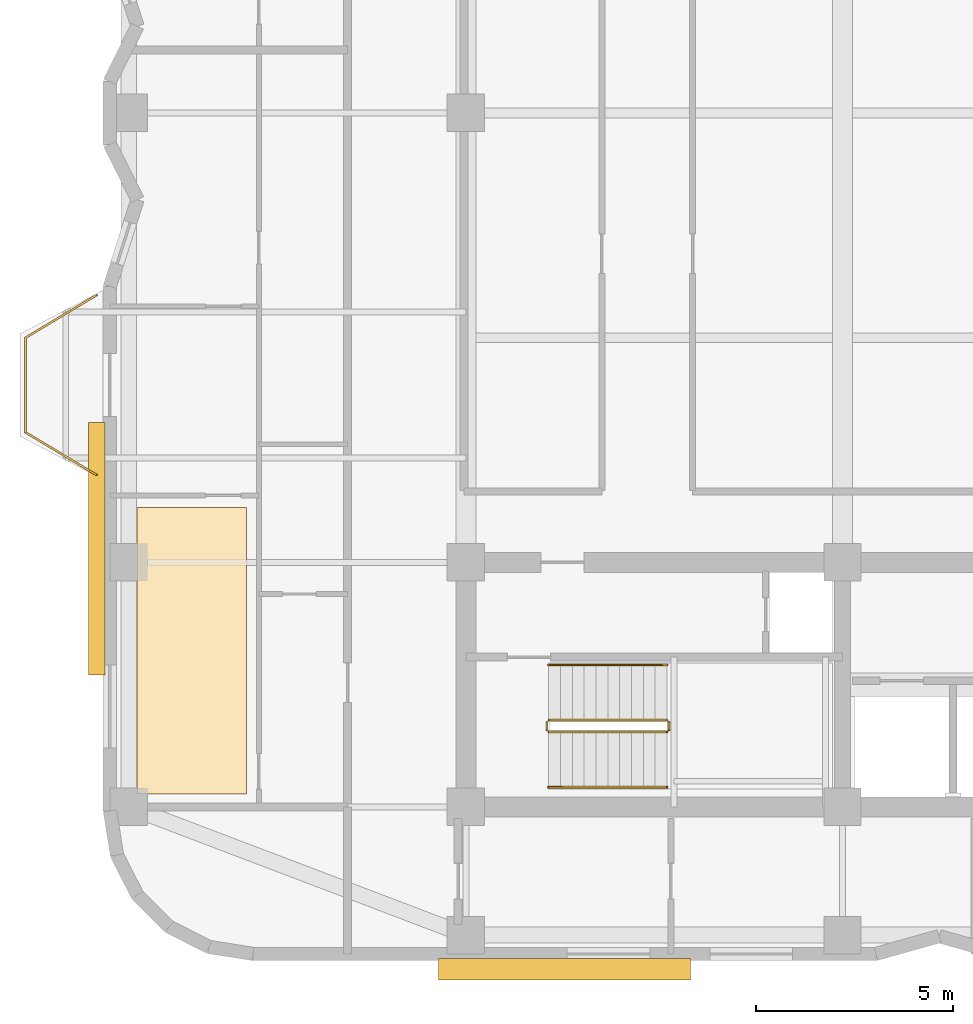
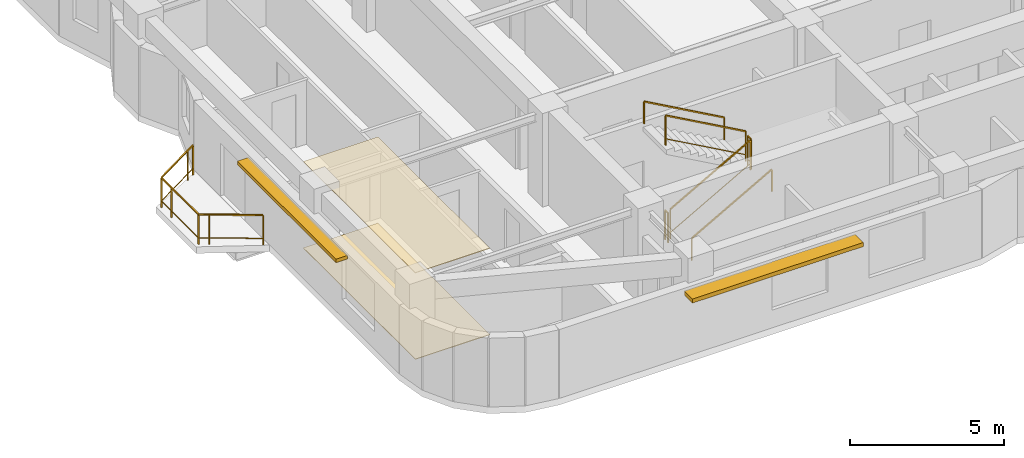
# One storey, part 10 of 12: 7 railings, 2 coverings, 2 shading devices.
"""IFC4 building model written with IfcOpenShell, lengths in metres."""

import ifcopenshell
import ifcopenshell.guid

model = None  # the IFC model being written
_history = None  # IfcOwnerHistory: only IFC2X3 demands one
_inside = {}  # id of a spatial element -> (the spatial element, [elements in it])
_under = {}  # id of a project, library or spatial element -> (it, [spatial elements below it])
_declared = {}  # id of a project -> (the project, [libraries it declares])
_typed = {}  # id of a type object -> (the type object, [elements of that type])
_made_of = {}  # id of a material, layer set ... -> (it, [elements and type objects made of it])


def new_model(schema):
    """Start an empty IFC model of exactly this schema.

    Asked for "IFC4X3", IfcOpenShell would pick the latest addendum, in which some entities
    have other attributes; the version numbers below select the first issue.
    IFC2X3 requires an IfcOwnerHistory on every rooted entity: one is made here for all.
    """
    global model, _history
    if schema == "IFC4X3":
        model = ifcopenshell.file(schema_version=(4, 3, 0, 0))
    else:
        model = ifcopenshell.file(schema=schema)
    _inside.clear()
    _under.clear()
    _declared.clear()
    _typed.clear()
    _made_of.clear()
    _history = None
    if model.schema == "IFC2X3":
        org = make("IfcOrganization", Name="unknown")
        user = make(
            "IfcPersonAndOrganization",
            ThePerson=make("IfcPerson", FamilyName="unknown"),
            TheOrganization=org,
        )
        app = make(
            "IfcApplication",
            ApplicationDeveloper=org,
            Version="unknown",
            ApplicationFullName="unknown",
            ApplicationIdentifier="unknown",
        )
        _history = make(
            "IfcOwnerHistory",
            OwningUser=user,
            OwningApplication=app,
            ChangeAction="ADDED",
            CreationDate=0,
        )
    return model


def make(cls, **values):
    """One entity of the class cls with the attributes given. An attribute that is None is left unset."""
    return model.create_entity(
        cls, **{name: value for name, value in values.items() if value is not None}
    )


def rooted(cls, **values):
    """An entity with a GlobalId (a new one), such as an element, a storey or a relation."""
    return make(cls, GlobalId=ifcopenshell.guid.new(), OwnerHistory=_history, **values)


def si_unit(unit_type, name, prefix=None):
    """IfcSIUnit, for example si_unit("LENGTHUNIT", "METRE", prefix="MILLI")."""
    return make("IfcSIUnit", UnitType=unit_type, Prefix=prefix, Name=name)


def assignment(units):
    """IfcUnitAssignment: the units of a project."""
    return None if units is None else make("IfcUnitAssignment", Units=units)


def point(xyz):
    """IfcCartesianPoint."""
    return None if xyz is None else make("IfcCartesianPoint", Coordinates=xyz)


def direction(xyz):
    """IfcDirection."""
    return None if xyz is None else make("IfcDirection", DirectionRatios=xyz)


def frame(location, z_axis=None, x_axis=None):
    """IfcAxis2Placement3D, a coordinate frame: its origin and axes. An axis left out is left unset."""
    return make(
        "IfcAxis2Placement3D",
        Location=point(location),
        Axis=direction(z_axis),
        RefDirection=direction(x_axis),
    )


def frame_2d(location, x_axis=None):
    """IfcAxis2Placement2D, a coordinate frame in the plane: its origin and x axis."""
    return make(
        "IfcAxis2Placement2D", Location=point(location), RefDirection=direction(x_axis)
    )


def origin():
    """The frame at (0, 0, 0) with its axes left unset."""
    return frame((0.0, 0.0, 0.0))


def origin_2d():
    """The frame at (0, 0) in the plane with its x axis left unset."""
    return frame_2d((0.0, 0.0))


def place(relative_to, where):
    """IfcLocalPlacement: puts the frame where relative to a parent placement (None: the world)."""
    return make(
        "IfcLocalPlacement", PlacementRelTo=relative_to, RelativePlacement=where
    )


def context(
    kind, dimensions, precision=None, world=None, true_north=None, identifier=None
):
    """IfcGeometricRepresentationContext, for example the 3D "Model" context."""
    return make(
        "IfcGeometricRepresentationContext",
        ContextIdentifier=identifier,
        ContextType=kind,
        CoordinateSpaceDimension=dimensions,
        Precision=precision,
        WorldCoordinateSystem=world,
        TrueNorth=true_north,
    )


def subcontext(parent, identifier, kind, view, scale=None):
    """IfcGeometricRepresentationSubContext, for example "Body" below "Model"."""
    return make(
        "IfcGeometricRepresentationSubContext",
        ContextIdentifier=identifier,
        ContextType=kind,
        ParentContext=parent,
        TargetScale=scale,
        TargetView=view,
    )


def project(units=None, contexts=None):
    """IfcProject with its units and contexts."""
    return rooted(
        "IfcProject",
        Name="project",
        RepresentationContexts=contexts,
        UnitsInContext=assignment(units),
    )


def spatial(cls, under=None, at=None, **own):
    """A site, building, storey or space (cls), placed at a placement, below another one or the project."""
    s = rooted(cls, ObjectPlacement=at, **own)
    if under is not None:
        _under.setdefault(under.id(), (under, []))[1].append(s)
    return s


def polyline(points):
    """IfcPolyline through the points."""
    return make("IfcPolyline", Points=[point(p) for p in points])


def profile(cls, at=None, kind="AREA", **sizes):
    """A parametric profile (cls). Its sizes go by their IFC names, for example OverallWidth=200.0."""
    return make(cls, ProfileType=kind, Position=at, **sizes)


def rectangle(**sizes):
    """IfcRectangleProfileDef."""
    return profile("IfcRectangleProfileDef", **sizes)


def outline(outer, holes=None, kind="AREA"):
    """IfcArbitraryClosedProfileDef: a profile drawn as a closed curve; with holes, ...WithVoids."""
    if holes is None:
        return make("IfcArbitraryClosedProfileDef", ProfileType=kind, OuterCurve=outer)
    return make(
        "IfcArbitraryProfileDefWithVoids",
        ProfileType=kind,
        OuterCurve=outer,
        InnerCurves=holes,
    )


def extrude(swept, where, along, depth):
    """IfcExtrudedAreaSolid: the profile swept, set in the frame where, extruded along a direction by depth."""
    return make(
        "IfcExtrudedAreaSolid",
        SweptArea=swept,
        Position=where,
        ExtrudedDirection=direction(along),
        Depth=depth,
    )


def shape(context_of_items, identifier, shape_type, items):
    """IfcShapeRepresentation: the items that make up one representation, for example the "Body"."""
    return make(
        "IfcShapeRepresentation",
        ContextOfItems=context_of_items,
        RepresentationIdentifier=identifier,
        RepresentationType=shape_type,
        Items=items,
    )


def material(Name=None, Category=None):
    """IfcMaterial."""
    return make("IfcMaterial", Name=Name, Category=Category)


def layer(
    of_material, thickness, ventilated=None, Name=None, Category=None, Priority=None
):
    """IfcMaterialLayer: one layer of a wall or slab, of a material (None: an air gap)."""
    return make(
        "IfcMaterialLayer",
        Material=of_material,
        LayerThickness=thickness,
        IsVentilated=ventilated,
        Name=Name,
        Category=Category,
        Priority=Priority,
    )


def layer_set(layers, Name=None):
    """IfcMaterialLayerSet."""
    return make("IfcMaterialLayerSet", MaterialLayers=layers, LayerSetName=Name)


def made_of(thing, what):
    """Note that an element or type object is made of a material, layer set ...; save() writes the relation."""
    if what is not None:
        _made_of.setdefault(what.id(), (what, []))[1].append(thing)
    return thing


def type_object(cls, material=None, **own):
    """A type object (cls), such as IfcWallType, which elements share."""
    return made_of(rooted(cls, **own), material)


def element(
    cls,
    number,
    at=None,
    inside=None,
    cuts=None,
    type_object=None,
    material=None,
    context=None,
    identifier="Body",
    shape_type=None,
    held_by="IfcProductDefinitionShape",
    body=None,
    shapes=None,
    **own,
):
    """One element of the class cls, such as IfcWall. Its Tag is "e" and its number.

    at: its placement. inside: the storey or other place that contains it. cuts: it is an
    opening in that element (IfcRelVoidsElement). A single representation is given by context,
    identifier, shape_type and body (its items); several are given by shapes. held_by: the class
    of the entity that holds the representations. save() writes the other relations.
    """
    e = rooted(cls, Tag="e%d" % number, ObjectPlacement=at, **own)
    if body is not None:
        shapes = [shape(context, identifier, shape_type, body)]
    if shapes is not None:
        e.Representation = make(held_by, Representations=shapes)
    if inside is not None:
        _inside.setdefault(inside.id(), (inside, []))[1].append(e)
    if cuts is not None:
        rooted(
            "IfcRelVoidsElement", RelatingBuildingElement=cuts, RelatedOpeningElement=e
        )
    if type_object is not None:
        _typed.setdefault(type_object.id(), (type_object, []))[1].append(e)
    return made_of(e, material)


def aggregate(whole, parts):
    """IfcRelAggregates: a whole, such as a stair, and the parts it consists of."""
    return rooted("IfcRelAggregates", RelatingObject=whole, RelatedObjects=parts)


def save(model, path):
    """Write the relations noted so far, then the file.

    IfcRelAggregates (storeys below a building ...), IfcRelContainedInSpatialStructure (elements
    in a storey), IfcRelDefinesByType, IfcRelAssociatesMaterial and IfcRelDeclares: one each for
    every whole, place, type object, material and project.
    """
    for whole, parts in _under.values():
        aggregate(whole, parts)
    for where, things in _inside.values():
        rooted(
            "IfcRelContainedInSpatialStructure",
            RelatedElements=things,
            RelatingStructure=where,
        )
    for kind, things in _typed.values():
        rooted("IfcRelDefinesByType", RelatedObjects=things, RelatingType=kind)
    for what, things in _made_of.values():
        rooted("IfcRelAssociatesMaterial", RelatedObjects=things, RelatingMaterial=what)
    for by, libraries in _declared.values():
        rooted("IfcRelDeclares", RelatingContext=by, RelatedDefinitions=libraries)
    model.write(path)


model = new_model("IFC4")

# Units and contexts
model_context = context("Model", 3, precision=1e-05, world=origin(), true_north=direction((0.0, 1.0)))
body_context = subcontext(model_context, "Body", "Model", "MODEL_VIEW")
ifc_project = project(units=[si_unit("LENGTHUNIT", "METRE"), si_unit("AREAUNIT", "SQUARE_METRE"), si_unit("VOLUMEUNIT", "CUBIC_METRE"), si_unit("PLANEANGLEUNIT", "RADIAN"), si_unit("MASSUNIT", "GRAM", prefix="KILO")], contexts=[model_context])

# Site, building, storey
site_placement = place(None, origin())
site = spatial("IfcSite", under=ifc_project, at=site_placement, CompositionType="ELEMENT")
building_placement = place(site_placement, origin())
building = spatial("IfcBuilding", under=site, at=building_placement, Name="Svetorya Sky Lyceum", CompositionType="ELEMENT")
storey_placement = place(building_placement, frame((0.0, 0.0, 177.39990234375)))
storey = spatial("IfcBuildingStorey", under=building, at=storey_placement, Name="L44", CompositionType="ELEMENT", Elevation=177.39990234375)

# Coverings
ifc_material_1 = material(Name="Mineral-fibre classroom acoustic ceiling tile")
ifc_layer_1 = layer(ifc_material_1, 0.02392578125)
ifc_layer_set_1 = layer_set([ifc_layer_1], Name="Mineral-fibre classroom acoustic ceiling tile")
covering_type_1 = type_object("IfcCoveringType", Name="COV-CLG-AC24", PredefinedType="CEILING", material=ifc_layer_set_1)
covering_1_placement = place(storey_placement, frame((0.0, 0.0, 3.416015625)))
element("IfcCovering", 1, at=covering_1_placement, inside=storey, type_object=covering_type_1, Name="Apartment W1 Living Room Acoustic Ceiling", PredefinedType="CEILING", context=body_context, shape_type="SweptSolid", body=[
    extrude(outline(polyline([(17.251708984375, 10.929931640625), (20.0400390625, 10.929931640625), (20.0400390625, 18.18994140625), (17.251708984375, 18.18994140625), (17.251708984375, 10.929931640625)])), origin(), (0.0, 0.0, 1.0), 0.024169921875),
])
ifc_material_2 = material(Name="Engineered Nordic oak parquet flooring")
ifc_layer_2 = layer(ifc_material_2, 0.02197265625)
ifc_layer_set_2 = layer_set([ifc_layer_2], Name="Engineered Nordic oak parquet flooring")
covering_type_2 = type_object("IfcCoveringType", Name="COV-FLR-OAK", PredefinedType="FLOORING", material=ifc_layer_set_2)
covering_2_placement = place(storey_placement, origin())
element("IfcCovering", 2, at=covering_2_placement, inside=storey, type_object=covering_type_2, Name="Apartment W1 Living Room Architectural Flooring", PredefinedType="FLOORING", context=body_context, shape_type="SweptSolid", body=[
    extrude(outline(polyline([(17.251708984375, 10.929931640625), (20.0400390625, 10.929931640625), (20.0400390625, 18.18994140625), (17.251708984375, 18.18994140625), (17.251708984375, 10.929931640625)])), origin(), (0.0, 0.0, 1.0), 0.022216796875),
])

# Railings
ifc_material_3 = material(Name="Laminated safety glass and stainless AISI 316", Category="glass")
railing_type_1 = type_object("IfcRailingType", Name="RL-BAL-1200", PredefinedType="BALUSTRADE", material=ifc_material_3)
railing_1_placement = place(storey_placement, frame((16.22998046875, 19.02001953125, 0.0)))
element("IfcRailing", 3, at=railing_1_placement, inside=storey, type_object=railing_type_1, Name="L44 Balcony Balustrade BAL-W1", PredefinedType="BALUSTRADE", context=body_context, shape_type="SweptSolid", body=[
    extrude(rectangle(XDim=0.048095703125, YDim=0.048095703125, at=origin_2d()), frame((0.0, 0.0, 1.17578125), z_axis=(-0.857482663744, 0.514512858321, 0.0), x_axis=(-0.514512858321, -0.857482663744, 0.0)), (0.0, 0.0, 1.0), 2.09912109375),
    extrude(rectangle(XDim=0.02392578125, YDim=0.02392578125, at=origin_2d()), frame((0.0, 0.0, 0.25), z_axis=(-0.857482663744, 0.514512858321, 0.0), x_axis=(-0.514512858321, -0.857482663744, 0.0)), (0.0, 0.0, 1.0), 2.09912109375),
    extrude(rectangle(XDim=0.048095703125, YDim=0.048095703125, at=origin_2d()), frame((-1.800048828125, 1.080078125, 1.17578125), z_axis=(0.0, 1.0, 0.0), x_axis=(-1.0, 0.0, 0.0)), (0.0, 0.0, 1.0), 2.39990234375),
    extrude(rectangle(XDim=0.02392578125, YDim=0.02392578125, at=origin_2d()), frame((-1.800048828125, 1.080078125, 0.25), z_axis=(0.0, 1.0, 0.0), x_axis=(-1.0, 0.0, 0.0)), (0.0, 0.0, 1.0), 2.39990234375),
    extrude(rectangle(XDim=0.048095703125, YDim=0.048095703125, at=origin_2d()), frame((-1.800048828125, 3.47998046875, 1.17578125), z_axis=(0.857482663744, 0.514512858321, 0.0), x_axis=(-0.514512858321, 0.857482663744, 0.0)), (0.0, 0.0, 1.0), 2.09912109375),
    extrude(rectangle(XDim=0.02392578125, YDim=0.02392578125, at=origin_2d()), frame((-1.800048828125, 3.47998046875, 0.25), z_axis=(0.857482663744, 0.514512858321, 0.0), x_axis=(-0.514512858321, 0.857482663744, 0.0)), (0.0, 0.0, 1.0), 2.09912109375),
    extrude(rectangle(XDim=0.0419921875, YDim=0.0419921875, at=origin_2d()), origin(), (0.0, 0.0, 1.0), 1.15185546875),
    extrude(rectangle(XDim=0.0419921875, YDim=0.0419921875, at=origin_2d()), frame((-1.50048828125, 0.900390625, 0.0)), (0.0, 0.0, 1.0), 1.15185546875),
    extrude(rectangle(XDim=0.0419921875, YDim=0.0419921875, at=origin_2d()), frame((-1.800048828125, 1.080078125, 0.0)), (0.0, 0.0, 1.0), 1.15185546875),
    extrude(rectangle(XDim=0.0419921875, YDim=0.0419921875, at=origin_2d()), frame((-1.800048828125, 2.830078125, 0.0)), (0.0, 0.0, 1.0), 1.15185546875),
    extrude(rectangle(XDim=0.0419921875, YDim=0.0419921875, at=origin_2d()), frame((-1.800048828125, 3.47998046875, 0.0)), (0.0, 0.0, 1.0), 1.15185546875),
    extrude(rectangle(XDim=0.0419921875, YDim=0.0419921875, at=origin_2d()), frame((-0.299560546875, 4.38037109375, 0.0)), (0.0, 0.0, 1.0), 1.15185546875),
    extrude(rectangle(XDim=0.0419921875, YDim=0.0419921875, at=origin_2d()), frame((0.0, 4.56005859375, 0.0)), (0.0, 0.0, 1.0), 1.15185546875),
])
ifc_material_4 = material(Name="Painted galvanized stair well guard")
railing_type_2 = type_object("IfcRailingType", Name="RL-STR-GUARD-1200", PredefinedType="GUARDRAIL", material=ifc_material_4)
railing_2_placement = place(storey_placement, frame((27.699951171875, 12.5, 0.168212890625)))
element("IfcRailing", 4, at=railing_2_placement, inside=storey, type_object=railing_type_2, Name="L44 ST-S stair guard 1", PredefinedType="GUARDRAIL", context=body_context, shape_type="SweptSolid", body=[
    extrude(rectangle(XDim=0.048095703125, YDim=0.048095703125, at=origin_2d()), frame((0.0, 0.0, 1.17578125), z_axis=(0.872272294576, 0.0, 0.489020494575), x_axis=(0.0, 1.0, 0.0)), (0.0, 0.0, 1.0), 3.439208984375),
    extrude(rectangle(XDim=0.02392578125, YDim=0.02392578125, at=origin_2d()), frame((0.0, 0.0, 0.25), z_axis=(0.872272294576, 0.0, 0.489020494575), x_axis=(0.0, 1.0, 0.0)), (0.0, 0.0, 1.0), 3.439208984375),
    extrude(rectangle(XDim=0.0419921875, YDim=0.0419921875, at=origin_2d()), origin(), (0.0, 0.0, 1.0), 1.15185546875),
    extrude(rectangle(XDim=0.0419921875, YDim=0.0419921875, at=origin_2d()), frame((3.0, 0.0, 1.681884765625)), (0.0, 0.0, 1.0), 1.15185546875),
])
railing_3_placement = place(storey_placement, frame((30.75, 12.550048828125, 1.85009765625)))
element("IfcRailing", 5, at=railing_3_placement, inside=storey, type_object=railing_type_2, Name="L44 ST-S stair guard 2", PredefinedType="GUARDRAIL", context=body_context, shape_type="SweptSolid", body=[
    extrude(rectangle(XDim=0.048095703125, YDim=0.048095703125, at=origin_2d()), frame((0.0, 0.0, 1.17578125), z_axis=(0.0, 1.0, 0.0), x_axis=(-1.0, 0.0, 0.0)), (0.0, 0.0, 1.0), 0.199951171875),
    extrude(rectangle(XDim=0.02392578125, YDim=0.02392578125, at=origin_2d()), frame((0.0, 0.0, 0.25), z_axis=(0.0, 1.0, 0.0), x_axis=(-1.0, 0.0, 0.0)), (0.0, 0.0, 1.0), 0.199951171875),
    extrude(rectangle(XDim=0.0419921875, YDim=0.0419921875, at=origin_2d()), origin(), (0.0, 0.0, 1.0), 1.15185546875),
    extrude(rectangle(XDim=0.0419921875, YDim=0.0419921875, at=origin_2d()), frame((0.0, 0.199951171875, 0.0)), (0.0, 0.0, 1.0), 1.15185546875),
])
railing_4_placement = place(storey_placement, frame((30.699951171875, 12.800048828125, 2.018310546875)))
element("IfcRailing", 6, at=railing_4_placement, inside=storey, type_object=railing_type_2, Name="L44 ST-S stair guard 3", PredefinedType="GUARDRAIL", context=body_context, shape_type="SweptSolid", body=[
    extrude(rectangle(XDim=0.048095703125, YDim=0.048095703125, at=origin_2d()), frame((0.0, 0.0, 1.17578125), z_axis=(-0.872272294576, 0.0, 0.489020494575), x_axis=(0.0, -1.0, 0.0)), (0.0, 0.0, 1.0), 3.439208984375),
    extrude(rectangle(XDim=0.02392578125, YDim=0.02392578125, at=origin_2d()), frame((0.0, 0.0, 0.25), z_axis=(-0.872272294576, 0.0, 0.489020494575), x_axis=(0.0, -1.0, 0.0)), (0.0, 0.0, 1.0), 3.439208984375),
    extrude(rectangle(XDim=0.0419921875, YDim=0.0419921875, at=origin_2d()), origin(), (0.0, 0.0, 1.0), 1.15185546875),
    extrude(rectangle(XDim=0.0419921875, YDim=0.0419921875, at=origin_2d()), frame((-3.0, 0.0, 1.681884765625)), (0.0, 0.0, 1.0), 1.15185546875),
])
railing_5_placement = place(storey_placement, frame((27.64990234375, 12.550048828125, 0.0)))
element("IfcRailing", 7, at=railing_5_placement, inside=storey, type_object=railing_type_2, Name="L44 ST-S stair guard 4", PredefinedType="GUARDRAIL", context=body_context, shape_type="SweptSolid", body=[
    extrude(rectangle(XDim=0.048095703125, YDim=0.048095703125, at=origin_2d()), frame((0.0, 0.0, 1.17578125), z_axis=(0.0, 1.0, 0.0), x_axis=(-1.0, 0.0, 0.0)), (0.0, 0.0, 1.0), 0.199951171875),
    extrude(rectangle(XDim=0.02392578125, YDim=0.02392578125, at=origin_2d()), frame((0.0, 0.0, 0.25), z_axis=(0.0, 1.0, 0.0), x_axis=(-1.0, 0.0, 0.0)), (0.0, 0.0, 1.0), 0.199951171875),
    extrude(rectangle(XDim=0.0419921875, YDim=0.0419921875, at=origin_2d()), origin(), (0.0, 0.0, 1.0), 1.15185546875),
    extrude(rectangle(XDim=0.0419921875, YDim=0.0419921875, at=origin_2d()), frame((0.0, 0.199951171875, 0.0)), (0.0, 0.0, 1.0), 1.15185546875),
])
ifc_material_5 = material(Name="Brushed stainless AISI 304 stair handrail")
railing_type_3 = type_object("IfcRailingType", Name="RL-STR-HAND-920", PredefinedType="HANDRAIL", material=ifc_material_5)
railing_6_placement = place(storey_placement, frame((27.699951171875, 11.10009765625, 0.168212890625)))
element("IfcRailing", 8, at=railing_6_placement, inside=storey, type_object=railing_type_3, Name="L44 ST-S stair handrail 1", PredefinedType="HANDRAIL", context=body_context, shape_type="SweptSolid", body=[
    extrude(rectangle(XDim=0.048095703125, YDim=0.048095703125, at=origin_2d()), frame((0.0, 0.0, 0.8759765625), z_axis=(0.872272294576, 0.0, 0.489020494575), x_axis=(0.0, 1.0, 0.0)), (0.0, 0.0, 1.0), 3.439208984375),
    extrude(rectangle(XDim=0.0419921875, YDim=0.0419921875, at=origin_2d()), origin(), (0.0, 0.0, 1.0), 0.851806640625),
    extrude(rectangle(XDim=0.0419921875, YDim=0.0419921875, at=origin_2d()), frame((3.0, 0.0, 1.681884765625)), (0.0, 0.0, 1.0), 0.851806640625),
])
railing_7_placement = place(storey_placement, frame((30.699951171875, 14.199951171875, 2.018310546875)))
element("IfcRailing", 9, at=railing_7_placement, inside=storey, type_object=railing_type_3, Name="L44 ST-S stair handrail 2", PredefinedType="HANDRAIL", context=body_context, shape_type="SweptSolid", body=[
    extrude(rectangle(XDim=0.048095703125, YDim=0.048095703125, at=origin_2d()), frame((0.0, 0.0, 0.8759765625), z_axis=(-0.872272294576, 0.0, 0.489020494575), x_axis=(0.0, -1.0, 0.0)), (0.0, 0.0, 1.0), 3.439208984375),
    extrude(rectangle(XDim=0.0419921875, YDim=0.0419921875, at=origin_2d()), origin(), (0.0, 0.0, 1.0), 0.851806640625),
    extrude(rectangle(XDim=0.0419921875, YDim=0.0419921875, at=origin_2d()), frame((-3.0, 0.0, 1.681884765625)), (0.0, 0.0, 1.0), 0.851806640625),
])

# Shading devices
ifc_material_6 = material(Name="Champagne-anodized extruded aluminium solar fin", Category="aluminium")
ifc_layer_3 = layer(ifc_material_6, 0.139892578125)
ifc_layer_set_3 = layer_set([ifc_layer_3], Name="Champagne-anodized extruded aluminium solar fin")
shading_device_type_1 = type_object("IfcShadingDeviceType", Name="SHD-FIN-420", PredefinedType="JALOUSIE", material=ifc_layer_set_3)
shading_device_1_placement = place(storey_placement, frame((16.239990234375, 17.14990234375, 2.43017578125), z_axis=(0.0, 0.0, 1.0), x_axis=(1.0, 0.0, 0.0)))
element("IfcShadingDevice", 10, at=shading_device_1_placement, inside=storey, type_object=shading_device_type_1, Name="L44 Solar Brise-Soleil SHD-2.46M", PredefinedType="JALOUSIE", context=body_context, shape_type="SweptSolid", body=[
    extrude(rectangle(XDim=0.419921875, YDim=6.39990234375, at=origin_2d()), origin(), (0.0, 0.0, 1.0), 0.139892578125),
])
ifc_material_7 = material(Name="Champagne-anodized extruded aluminium sunshade", Category="aluminium")
ifc_layer_4 = layer(ifc_material_7, 0.159912109375)
ifc_layer_set_4 = layer_set([ifc_layer_4], Name="Champagne-anodized extruded aluminium sunshade")
shading_device_type_2 = type_object("IfcShadingDeviceType", Name="SHD-LVR-540", PredefinedType="AWNING", material=ifc_layer_set_4)
shading_device_2_placement = place(storey_placement, frame((28.10009765625, 6.47998046875, 2.419921875), z_axis=(0.0, 0.0, 1.0), x_axis=(1.0, 0.0, 0.0)))
element("IfcShadingDevice", 11, at=shading_device_2_placement, inside=storey, type_object=shading_device_type_2, Name="L44 Solar Brise-Soleil SHD-1.6M", PredefinedType="AWNING", context=body_context, shape_type="SweptSolid", body=[
    extrude(rectangle(XDim=6.39990234375, YDim=0.5400390625, at=origin_2d()), origin(), (0.0, 0.0, 1.0), 0.159912109375),
])

save(model, "model.ifc")
